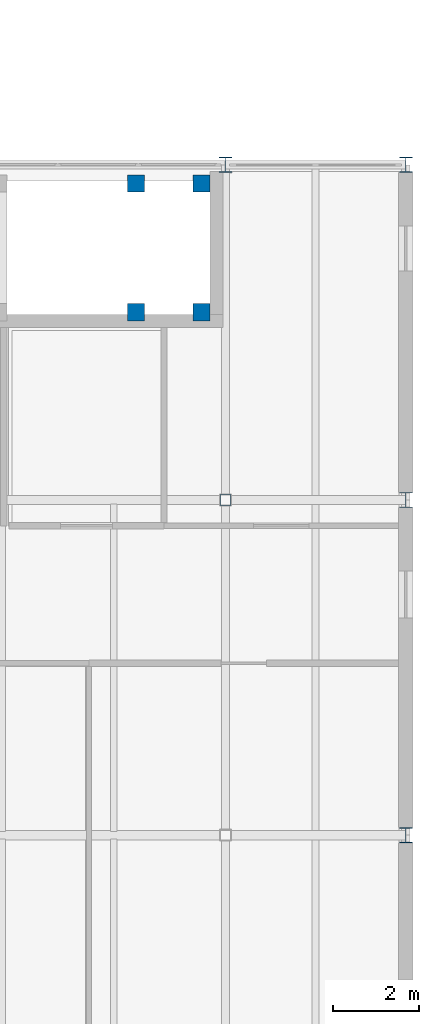
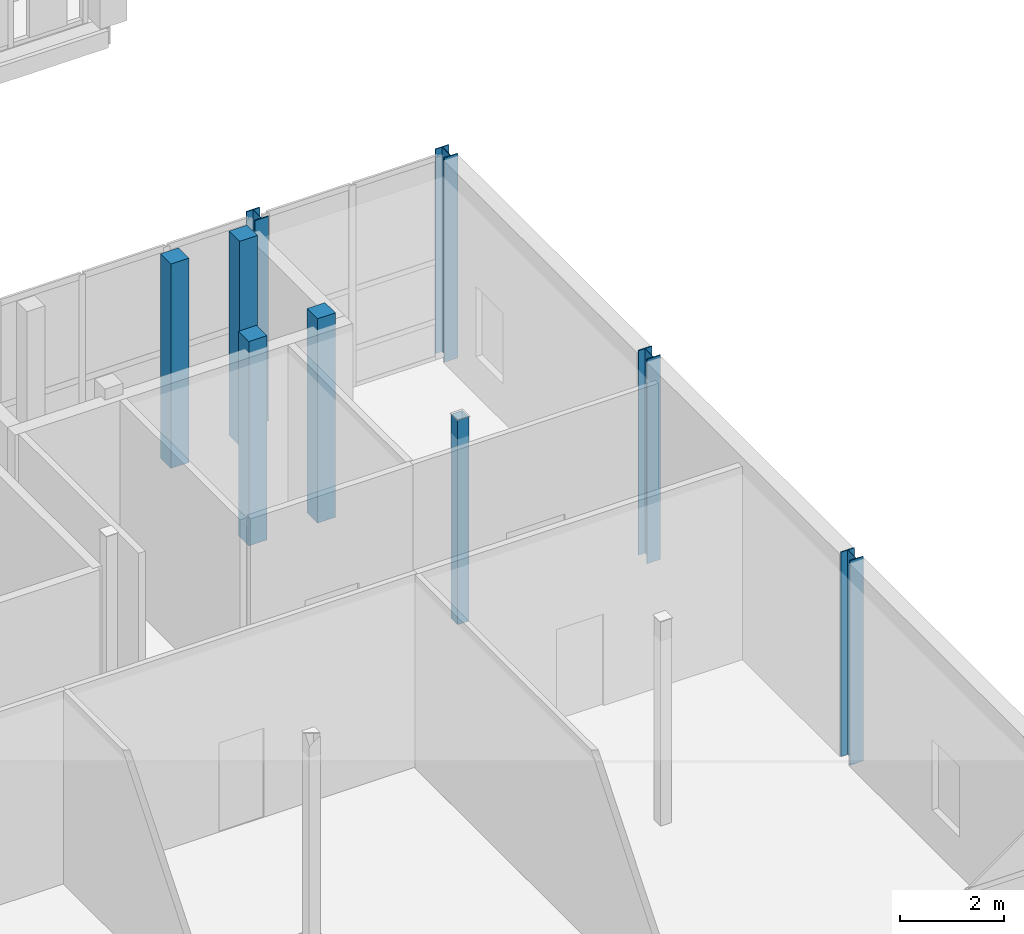
# One storey, part 18 of 138: 9 columns.
"""IFC4 building model written with IfcOpenShell, lengths in metres."""

import ifcopenshell
import ifcopenshell.guid

model = None  # the IFC model being written
_history = None  # IfcOwnerHistory: only IFC2X3 demands one
_inside = {}  # id of a spatial element -> (the spatial element, [elements in it])
_under = {}  # id of a project, library or spatial element -> (it, [spatial elements below it])
_declared = {}  # id of a project -> (the project, [libraries it declares])
_typed = {}  # id of a type object -> (the type object, [elements of that type])
_made_of = {}  # id of a material, layer set ... -> (it, [elements and type objects made of it])


def new_model(schema):
    """Start an empty IFC model of exactly this schema.

    Asked for "IFC4X3", IfcOpenShell would pick the latest addendum, in which some entities
    have other attributes; the version numbers below select the first issue.
    IFC2X3 requires an IfcOwnerHistory on every rooted entity: one is made here for all.
    """
    global model, _history
    if schema == "IFC4X3":
        model = ifcopenshell.file(schema_version=(4, 3, 0, 0))
    else:
        model = ifcopenshell.file(schema=schema)
    _inside.clear()
    _under.clear()
    _declared.clear()
    _typed.clear()
    _made_of.clear()
    _history = None
    if model.schema == "IFC2X3":
        org = make("IfcOrganization", Name="unknown")
        user = make(
            "IfcPersonAndOrganization",
            ThePerson=make("IfcPerson", FamilyName="unknown"),
            TheOrganization=org,
        )
        app = make(
            "IfcApplication",
            ApplicationDeveloper=org,
            Version="unknown",
            ApplicationFullName="unknown",
            ApplicationIdentifier="unknown",
        )
        _history = make(
            "IfcOwnerHistory",
            OwningUser=user,
            OwningApplication=app,
            ChangeAction="ADDED",
            CreationDate=0,
        )
    return model


def make(cls, **values):
    """One entity of the class cls with the attributes given. An attribute that is None is left unset."""
    return model.create_entity(
        cls, **{name: value for name, value in values.items() if value is not None}
    )


def rooted(cls, **values):
    """An entity with a GlobalId (a new one), such as an element, a storey or a relation."""
    return make(cls, GlobalId=ifcopenshell.guid.new(), OwnerHistory=_history, **values)


def si_unit(unit_type, name, prefix=None):
    """IfcSIUnit, for example si_unit("LENGTHUNIT", "METRE", prefix="MILLI")."""
    return make("IfcSIUnit", UnitType=unit_type, Prefix=prefix, Name=name)


def assignment(units):
    """IfcUnitAssignment: the units of a project."""
    return None if units is None else make("IfcUnitAssignment", Units=units)


def point(xyz):
    """IfcCartesianPoint."""
    return None if xyz is None else make("IfcCartesianPoint", Coordinates=xyz)


def direction(xyz):
    """IfcDirection."""
    return None if xyz is None else make("IfcDirection", DirectionRatios=xyz)


def frame(location, z_axis=None, x_axis=None):
    """IfcAxis2Placement3D, a coordinate frame: its origin and axes. An axis left out is left unset."""
    return make(
        "IfcAxis2Placement3D",
        Location=point(location),
        Axis=direction(z_axis),
        RefDirection=direction(x_axis),
    )


def frame_2d(location, x_axis=None):
    """IfcAxis2Placement2D, a coordinate frame in the plane: its origin and x axis."""
    return make(
        "IfcAxis2Placement2D", Location=point(location), RefDirection=direction(x_axis)
    )


def origin():
    """The frame at (0, 0, 0) with its axes left unset."""
    return frame((0.0, 0.0, 0.0))


def origin_2d():
    """The frame at (0, 0) in the plane with its x axis left unset."""
    return frame_2d((0.0, 0.0))


def place(relative_to, where):
    """IfcLocalPlacement: puts the frame where relative to a parent placement (None: the world)."""
    return make(
        "IfcLocalPlacement", PlacementRelTo=relative_to, RelativePlacement=where
    )


def context(
    kind, dimensions, precision=None, world=None, true_north=None, identifier=None
):
    """IfcGeometricRepresentationContext, for example the 3D "Model" context."""
    return make(
        "IfcGeometricRepresentationContext",
        ContextIdentifier=identifier,
        ContextType=kind,
        CoordinateSpaceDimension=dimensions,
        Precision=precision,
        WorldCoordinateSystem=world,
        TrueNorth=true_north,
    )


def subcontext(parent, identifier, kind, view, scale=None):
    """IfcGeometricRepresentationSubContext, for example "Body" below "Model"."""
    return make(
        "IfcGeometricRepresentationSubContext",
        ContextIdentifier=identifier,
        ContextType=kind,
        ParentContext=parent,
        TargetScale=scale,
        TargetView=view,
    )


def project(units=None, contexts=None):
    """IfcProject with its units and contexts."""
    return rooted(
        "IfcProject",
        Name="project",
        RepresentationContexts=contexts,
        UnitsInContext=assignment(units),
    )


def spatial(cls, under=None, at=None, **own):
    """A site, building, storey or space (cls), placed at a placement, below another one or the project."""
    s = rooted(cls, ObjectPlacement=at, **own)
    if under is not None:
        _under.setdefault(under.id(), (under, []))[1].append(s)
    return s


def profile(cls, at=None, kind="AREA", **sizes):
    """A parametric profile (cls). Its sizes go by their IFC names, for example OverallWidth=200.0."""
    return make(cls, ProfileType=kind, Position=at, **sizes)


def rectangle(**sizes):
    """IfcRectangleProfileDef."""
    return profile("IfcRectangleProfileDef", **sizes)


def hollow_rectangle(**sizes):
    """IfcRectangleHollowProfileDef."""
    return profile("IfcRectangleHollowProfileDef", **sizes)


def i_section(**sizes):
    """IfcIShapeProfileDef."""
    return profile("IfcIShapeProfileDef", **sizes)


def extrude(swept, where, along, depth):
    """IfcExtrudedAreaSolid: the profile swept, set in the frame where, extruded along a direction by depth."""
    return make(
        "IfcExtrudedAreaSolid",
        SweptArea=swept,
        Position=where,
        ExtrudedDirection=direction(along),
        Depth=depth,
    )


def shape(context_of_items, identifier, shape_type, items):
    """IfcShapeRepresentation: the items that make up one representation, for example the "Body"."""
    return make(
        "IfcShapeRepresentation",
        ContextOfItems=context_of_items,
        RepresentationIdentifier=identifier,
        RepresentationType=shape_type,
        Items=items,
    )


def material(Name=None, Category=None):
    """IfcMaterial."""
    return make("IfcMaterial", Name=Name, Category=Category)


def material_profile(
    of_material, cross_section, Name=None, Category=None, Priority=None
):
    """IfcMaterialProfile: a cross section and its material."""
    return make(
        "IfcMaterialProfile",
        Name=Name,
        Material=of_material,
        Profile=cross_section,
        Priority=Priority,
        Category=Category,
    )


def profile_set(profiles, Name=None, composite=None):
    """IfcMaterialProfileSet."""
    return make(
        "IfcMaterialProfileSet",
        Name=Name,
        MaterialProfiles=profiles,
        CompositeProfile=composite,
    )


def made_of(thing, what):
    """Note that an element or type object is made of a material, layer set ...; save() writes the relation."""
    if what is not None:
        _made_of.setdefault(what.id(), (what, []))[1].append(thing)
    return thing


def type_object(cls, material=None, **own):
    """A type object (cls), such as IfcWallType, which elements share."""
    return made_of(rooted(cls, **own), material)


def element(
    cls,
    number,
    at=None,
    inside=None,
    cuts=None,
    type_object=None,
    material=None,
    context=None,
    identifier="Body",
    shape_type=None,
    held_by="IfcProductDefinitionShape",
    body=None,
    shapes=None,
    **own,
):
    """One element of the class cls, such as IfcWall. Its Tag is "e" and its number.

    at: its placement. inside: the storey or other place that contains it. cuts: it is an
    opening in that element (IfcRelVoidsElement). A single representation is given by context,
    identifier, shape_type and body (its items); several are given by shapes. held_by: the class
    of the entity that holds the representations. save() writes the other relations.
    """
    e = rooted(cls, Tag="e%d" % number, ObjectPlacement=at, **own)
    if body is not None:
        shapes = [shape(context, identifier, shape_type, body)]
    if shapes is not None:
        e.Representation = make(held_by, Representations=shapes)
    if inside is not None:
        _inside.setdefault(inside.id(), (inside, []))[1].append(e)
    if cuts is not None:
        rooted(
            "IfcRelVoidsElement", RelatingBuildingElement=cuts, RelatedOpeningElement=e
        )
    if type_object is not None:
        _typed.setdefault(type_object.id(), (type_object, []))[1].append(e)
    return made_of(e, material)


def aggregate(whole, parts):
    """IfcRelAggregates: a whole, such as a stair, and the parts it consists of."""
    return rooted("IfcRelAggregates", RelatingObject=whole, RelatedObjects=parts)


def save(model, path):
    """Write the relations noted so far, then the file.

    IfcRelAggregates (storeys below a building ...), IfcRelContainedInSpatialStructure (elements
    in a storey), IfcRelDefinesByType, IfcRelAssociatesMaterial and IfcRelDeclares: one each for
    every whole, place, type object, material and project.
    """
    for whole, parts in _under.values():
        aggregate(whole, parts)
    for where, things in _inside.values():
        rooted(
            "IfcRelContainedInSpatialStructure",
            RelatedElements=things,
            RelatingStructure=where,
        )
    for kind, things in _typed.values():
        rooted("IfcRelDefinesByType", RelatedObjects=things, RelatingType=kind)
    for what, things in _made_of.values():
        rooted("IfcRelAssociatesMaterial", RelatedObjects=things, RelatingMaterial=what)
    for by, libraries in _declared.values():
        rooted("IfcRelDeclares", RelatingContext=by, RelatedDefinitions=libraries)
    model.write(path)


model = new_model("IFC4")

# Units and contexts
model_context = context("Model", 3, precision=1e-05, world=origin(), true_north=direction((0.0, 1.0)))
body_context = subcontext(model_context, "Body", "Model", "MODEL_VIEW")
ifc_project = project(units=[si_unit("LENGTHUNIT", "METRE"), si_unit("AREAUNIT", "SQUARE_METRE"), si_unit("VOLUMEUNIT", "CUBIC_METRE"), si_unit("PLANEANGLEUNIT", "RADIAN"), si_unit("MASSUNIT", "GRAM", prefix="KILO")], contexts=[model_context])

# Site, building, storey
site_placement = place(None, origin())
site = spatial("IfcSite", under=ifc_project, at=site_placement, CompositionType="ELEMENT")
building_placement = place(site_placement, origin())
building = spatial("IfcBuilding", under=site, at=building_placement, Name="Celorna Specialist Clinic", CompositionType="ELEMENT")
storey_placement = place(building_placement, frame((0.0, 0.0, 4.800048828125)))
storey = spatial("IfcBuildingStorey", under=building, at=storey_placement, Name="L01", CompositionType="ELEMENT", Elevation=4.800048828125)

# Columns
ifc_material_1 = material(Name="Concrete C35/45", Category="concrete")
ifc_material_profile_1 = material_profile(ifc_material_1, rectangle(XDim=0.39990234375, YDim=0.39990234375, at=origin_2d()), Name="RC 400x400")
ifc_profile_set_1 = profile_set([ifc_material_profile_1], Name="Concrete C35/45")
column_type_1 = type_object("IfcColumnType", Name="CT-08", PredefinedType="COLUMN", material=ifc_profile_set_1)
for number, where, z_axis, x_axis, name in (
    (1, (161.719970703125, 79.969970703125, 0.0), (0.0, 0.0, 1.0), (1.0, 0.0, 0.0), "Stair ST-12 landing column CT-08 L01 X22/YP"),
    (2, (161.719970703125, 82.969970703125, 0.0), (0.0, 0.0, 1.0), (1.0, 0.0, 0.0), "Stair ST-12 landing column CT-08 L01 X22/YQ"),
    (3, (163.239990234375, 79.969970703125, 0.0), (0.0, 0.0, 1.0), (1.0, 0.0, 0.0), "Stair ST-12 landing column CT-08 L01 X22/YP"),
    (4, (163.239990234375, 82.969970703125, 0.0), (0.0, 0.0, 1.0), (1.0, 0.0, 0.0), "Stair ST-12 landing column CT-08 L01 X22/YQ"),
):
    element("IfcColumn", number, at=place(storey_placement, frame(where, z_axis=z_axis, x_axis=x_axis)), inside=storey, type_object=column_type_1, Name=name, PredefinedType="COLUMN", context=body_context, shape_type="SweptSolid", body=[
        extrude(rectangle(XDim=0.39990234375, YDim=0.39990234375, at=origin_2d()), origin(), (0.0, 0.0, 1.0), 4.800048828125),
    ])
ifc_material_2 = material(Name="Steel S355", Category="steel")
ifc_material_profile_2 = material_profile(ifc_material_2, i_section(OverallWidth=0.300048828125, OverallDepth=0.360107421875, WebThickness=0.012451171875, FlangeThickness=0.0224609375, at=origin_2d()), Name="HE 360 B")
ifc_profile_set_2 = profile_set([ifc_material_profile_2], Name="Steel S355")
column_type_2 = type_object("IfcColumnType", Name="CT-13", PredefinedType="COLUMN", material=ifc_profile_set_2)
for number, where, z_axis, x_axis, name in (
    (5, (163.800048828125, 83.39990234375, 0.0), (0.0, 0.0, 1.0), (1.0, 0.0, 0.0), "Column CT-13 L01 X22/YQ"),
    (6, (168.0, 67.800048828125, 0.0), (0.0, 0.0, 1.0), (1.0, 0.0, 0.0), "Column CT-13 L01 X23/YN"),
    (7, (168.0, 75.60009765625, 0.0), (0.0, 0.0, 1.0), (1.0, 0.0, 0.0), "Column CT-13 L01 X23/YP"),
    (8, (168.0, 83.39990234375, 0.0), (0.0, 0.0, 1.0), (1.0, 0.0, 0.0), "Column CT-13 L01 X23/YQ"),
):
    element("IfcColumn", number, at=place(storey_placement, frame(where, z_axis=z_axis, x_axis=x_axis)), inside=storey, type_object=column_type_2, Name=name, PredefinedType="COLUMN", context=body_context, shape_type="SweptSolid", body=[
        extrude(i_section(OverallWidth=0.300048828125, OverallDepth=0.360107421875, WebThickness=0.012451171875, FlangeThickness=0.0224609375, at=origin_2d()), origin(), (0.0, 0.0, 1.0), 4.800048828125),
    ])
ifc_material_profile_3 = material_profile(ifc_material_2, hollow_rectangle(XDim=0.25, YDim=0.25, WallThickness=0.012451171875, at=origin_2d()), Name="SHS 250x250x12.5")
ifc_profile_set_3 = profile_set([ifc_material_profile_3], Name="Steel S355")
column_type_3 = type_object("IfcColumnType", Name="CT-19", PredefinedType="COLUMN", material=ifc_profile_set_3)
column_placement = place(storey_placement, frame((163.800048828125, 75.60009765625, 0.0), z_axis=(0.0, 0.0, 1.0), x_axis=(1.0, 0.0, 0.0)))
element("IfcColumn", 9, at=column_placement, inside=storey, type_object=column_type_3, Name="Column CT-19 L01 X22/YP", PredefinedType="COLUMN", context=body_context, shape_type="SweptSolid", body=[
    extrude(hollow_rectangle(XDim=0.25, YDim=0.25, WallThickness=0.012451171875, at=origin_2d()), origin(), (0.0, 0.0, 1.0), 4.800048828125),
])

save(model, "model.ifc")
